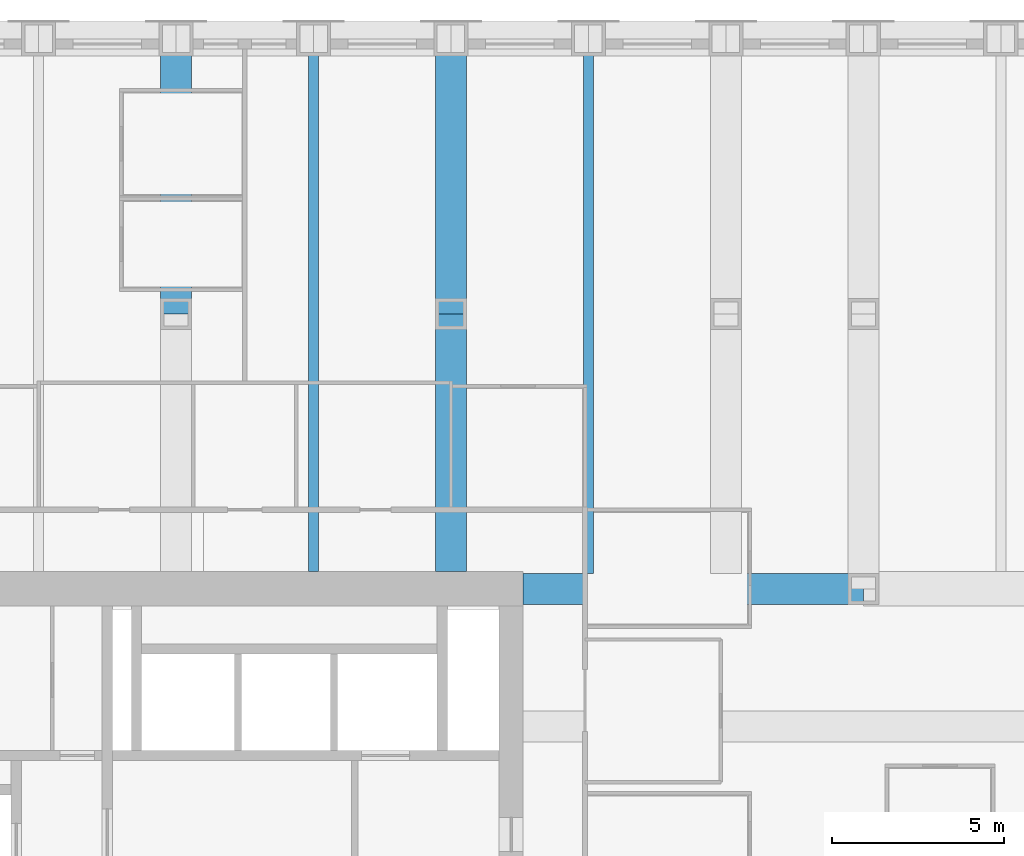
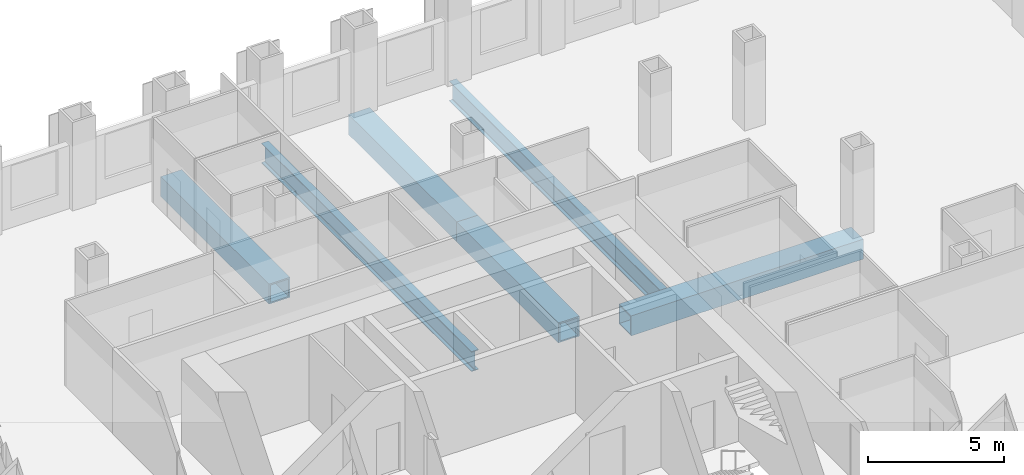
# One storey, part 7 of 16: 6 beams.
"""IFC4 building model written with IfcOpenShell, lengths in metres."""

from ifc_helpers import new_model, si_unit, direction, frame, origin, origin_2d, place, context, subcontext, project, spatial, hollow_rectangle, i_section, extrude, material, material_profile, profile_set, type_object, element, save


model = new_model("IFC4")

# Units and contexts
model_context = context("Model", 3, precision=1e-05, world=origin(), true_north=direction((0.0, 1.0)))
body_context = subcontext(model_context, "Body", "Model", "MODEL_VIEW")
ifc_project = project(units=[si_unit("LENGTHUNIT", "METRE"), si_unit("AREAUNIT", "SQUARE_METRE"), si_unit("VOLUMEUNIT", "CUBIC_METRE"), si_unit("PLANEANGLEUNIT", "RADIAN"), si_unit("MASSUNIT", "GRAM", prefix="KILO")], contexts=[model_context])

# Site, building, storey
site_placement = place(None, origin())
site = spatial("IfcSite", under=ifc_project, at=site_placement, CompositionType="ELEMENT")
building_placement = place(site_placement, origin())
building = spatial("IfcBuilding", under=site, at=building_placement, Name="Rimbunsela Tower", CompositionType="ELEMENT")
storey_placement = place(building_placement, frame((0.0, 0.0, 125.39990234375)))
storey = spatial("IfcBuildingStorey", under=building, at=storey_placement, Name="L30", CompositionType="ELEMENT", Elevation=125.39990234375)

# Beams
ifc_material_1 = material(Name="Steel BJ 55 (fy 410 MPa)", Category="steel")
ifc_material_profile_1 = material_profile(ifc_material_1, hollow_rectangle(XDim=0.89990234375, YDim=0.89990234375, WallThickness=0.06005859375, at=origin_2d()), Name="BOX 900x900x60")
ifc_profile_set_1 = profile_set([ifc_material_profile_1], Name="Steel BJ 55 (fy 410 MPa)")
beam_type_1 = type_object("IfcBeamType", Name="Beam BOX 900x900x60", PredefinedType="BEAM", material=ifc_profile_set_1)
beam_1_placement = place(storey_placement, frame((26.0, 44.0, -0.599853515625), z_axis=(0.0, 1.0, 0.0), x_axis=(-1.0, 0.0, 0.0)))
element("IfcBeam", 1, at=beam_1_placement, inside=storey, type_object=beam_type_1, Name="Beam B1 L30", PredefinedType="BEAM", context=body_context, shape_type="SweptSolid", body=[
    extrude(hollow_rectangle(XDim=0.89990234375, YDim=0.89990234375, WallThickness=0.06005859375, at=origin_2d()), origin(), (0.0, 0.0, 1.0), 8.0),
])
beam_2_placement = place(storey_placement, frame((34.0, 36.5, -0.599853515625), z_axis=(0.0, 1.0, 0.0), x_axis=(-1.0, 0.0, 0.0)))
element("IfcBeam", 2, at=beam_2_placement, inside=storey, type_object=beam_type_1, Name="Beam B1 L30", PredefinedType="BEAM", context=body_context, shape_type="SweptSolid", body=[
    extrude(hollow_rectangle(XDim=0.89990234375, YDim=0.89990234375, WallThickness=0.06005859375, at=origin_2d()), origin(), (0.0, 0.0, 1.0), 7.5),
])
beam_3_placement = place(storey_placement, frame((34.0, 44.0, -0.599853515625), z_axis=(0.0, 1.0, 0.0), x_axis=(-1.0, 0.0, 0.0)))
element("IfcBeam", 3, at=beam_3_placement, inside=storey, type_object=beam_type_1, Name="Beam B1 L30", PredefinedType="BEAM", context=body_context, shape_type="SweptSolid", body=[
    extrude(hollow_rectangle(XDim=0.89990234375, YDim=0.89990234375, WallThickness=0.06005859375, at=origin_2d()), origin(), (0.0, 0.0, 1.0), 8.0),
])
beam_4_placement = place(storey_placement, frame((36.10009765625, 36.0, -0.599853515625), z_axis=(1.0, 0.0, 0.0), x_axis=(0.0, 1.0, 0.0)))
element("IfcBeam", 4, at=beam_4_placement, inside=storey, type_object=beam_type_1, Name="Beam B1 L30", PredefinedType="BEAM", context=body_context, shape_type="SweptSolid", body=[
    extrude(hollow_rectangle(XDim=0.89990234375, YDim=0.89990234375, WallThickness=0.06005859375, at=origin_2d()), origin(), (0.0, 0.0, 1.0), 9.89990234375),
])
ifc_material_2 = material(Name="Steel BJ 55 (fy 410 MPa)", Category="steel")
ifc_material_profile_2 = material_profile(ifc_material_2, i_section(OverallWidth=0.300048828125, OverallDepth=0.89990234375, WebThickness=0.01611328125, FlangeThickness=0.028076171875, FilletRadius=0.028076171875, at=origin_2d()), Name="H 900x300x16x28")
ifc_profile_set_2 = profile_set([ifc_material_profile_2], Name="Steel BJ 55 (fy 410 MPa)")
beam_type_2 = type_object("IfcBeamType", Name="Beam H 900x300x16x28", PredefinedType="BEAM", material=ifc_profile_set_2)
beam_5_placement = place(storey_placement, frame((30.0, 36.5, -0.599853515625), z_axis=(0.0, 1.0, 0.0), x_axis=(-1.0, 0.0, 0.0)))
element("IfcBeam", 5, at=beam_5_placement, inside=storey, type_object=beam_type_2, Name="Beam B2 L30", PredefinedType="BEAM", context=body_context, shape_type="SweptSolid", body=[
    extrude(i_section(OverallWidth=0.300048828125, OverallDepth=0.89990234375, WebThickness=0.01611328125, FlangeThickness=0.028076171875, FilletRadius=0.028076171875, at=origin_2d()), origin(), (0.0, 0.0, 1.0), 15.5),
])
beam_6_placement = place(storey_placement, frame((38.0, 36.449951171875, -0.599853515625), z_axis=(0.0, 1.0, 0.0), x_axis=(-1.0, 0.0, 0.0)))
element("IfcBeam", 6, at=beam_6_placement, inside=storey, type_object=beam_type_2, Name="Beam B2 L30", PredefinedType="BEAM", context=body_context, shape_type="SweptSolid", body=[
    extrude(i_section(OverallWidth=0.300048828125, OverallDepth=0.89990234375, WebThickness=0.01611328125, FlangeThickness=0.028076171875, FilletRadius=0.028076171875, at=origin_2d()), origin(), (0.0, 0.0, 1.0), 15.550048828125),
])

save(model, "model.ifc")
